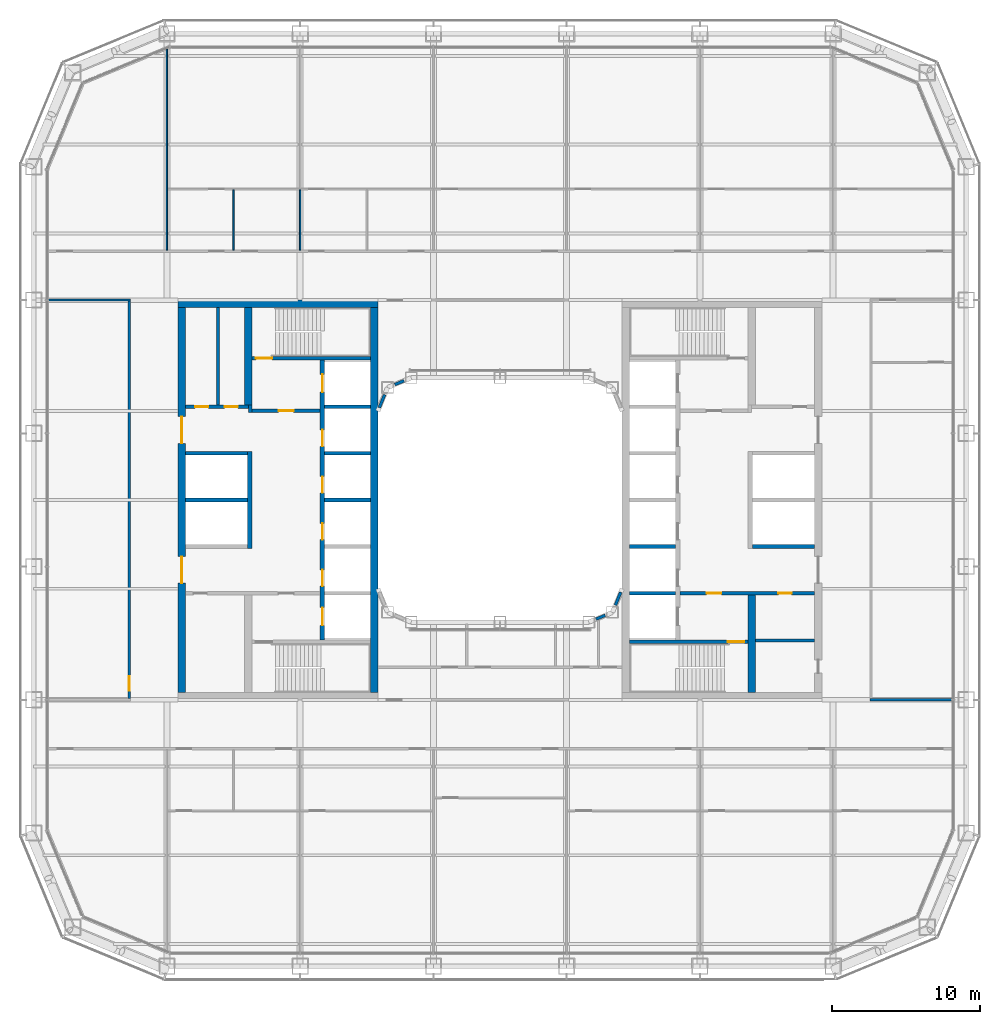
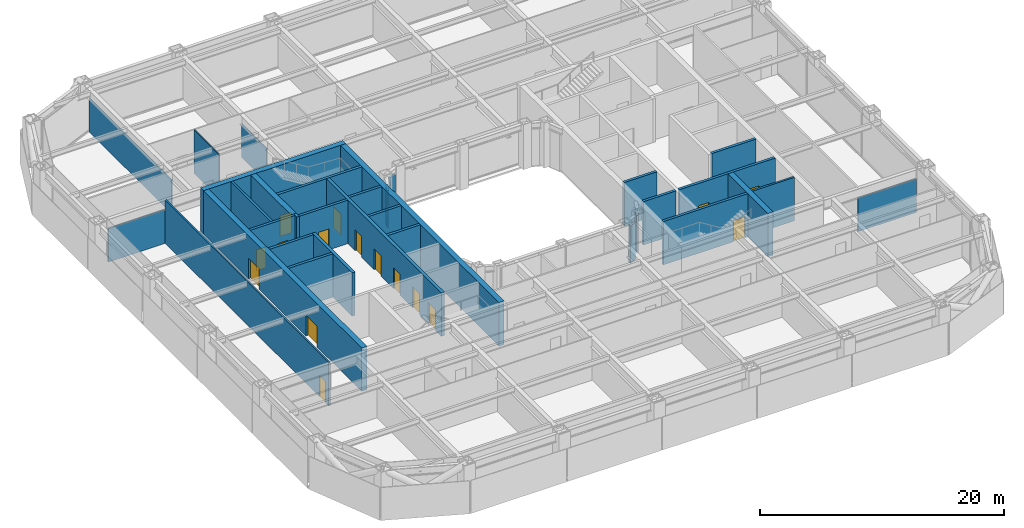
# One storey, part 13 of 24: 33 walls, 16 doors, 16 openings.
"""IFC4 building model written with IfcOpenShell, lengths in metres."""

from ifc_helpers import new_model, si_unit, direction, frame, frame_2d, origin, place, context, subcontext, project, spatial, rectangle, extrude, material, layer, layer_set, type_object, element, fill, save


model = new_model("IFC4")

# Units and contexts
model_context = context("Model", 3, precision=1e-05, world=origin(), true_north=direction((0.0, 1.0)))
body_context = subcontext(model_context, "Body", "Model", "MODEL_VIEW")
ifc_project = project(units=[si_unit("LENGTHUNIT", "METRE"), si_unit("AREAUNIT", "SQUARE_METRE"), si_unit("VOLUMEUNIT", "CUBIC_METRE"), si_unit("PLANEANGLEUNIT", "RADIAN"), si_unit("MASSUNIT", "GRAM", prefix="KILO")], contexts=[model_context])

# Site, building, storey
site_placement = place(None, origin())
site = spatial("IfcSite", under=ifc_project, at=site_placement, CompositionType="ELEMENT")
building_placement = place(site_placement, origin())
building = spatial("IfcBuilding", under=site, at=building_placement, Name="Siwar Civic Tower", CompositionType="ELEMENT")
storey_placement = place(building_placement, frame((0.0, 0.0, 40.199951171875)))
storey = spatial("IfcBuildingStorey", under=building, at=storey_placement, Name="L08", CompositionType="ELEMENT", Elevation=40.199951171875)

# Walls
ifc_material_1 = material(Name="Gypsum board on steel studs", Category="steel")
ifc_layer_1 = layer(ifc_material_1, 0.199951171875)
ifc_layer_set_1 = layer_set([ifc_layer_1], Name="Gypsum board on steel studs")
wall_type_1 = type_object("IfcWallType", Name="CORE-PARTITION-200", PredefinedType="PARTITIONING", material=ifc_layer_set_1)
wall_1_placement = place(storey_placement, frame((-19.050048828125, 6.425048828125, 0.0), z_axis=(0.0, 0.0, 1.0), x_axis=(0.0, 1.0, 0.0)))
element("IfcWall", 1, at=wall_1_placement, inside=storey, type_object=wall_type_1, Name="Core partition W", PredefinedType="PARTITIONING", context=body_context, shape_type="SweptSolid", body=[
    extrude(rectangle(XDim=6.574951171875, YDim=0.199951171875, at=frame_2d((3.28759765625, 0.0))), origin(), (0.0, 0.0, 1.0), 4.35009765625),
])
wall_2_placement = place(storey_placement, frame((17.25, -9.5, 0.0), z_axis=(0.0, 0.0, 1.0), x_axis=(1.0, 0.0, 0.0)))
element("IfcWall", 2, at=wall_2_placement, inside=storey, type_object=wall_type_1, Name="Core partition E", PredefinedType="PARTITIONING", context=body_context, shape_type="SweptSolid", body=[
    extrude(rectangle(XDim=4.0, YDim=0.199951171875, at=frame_2d((2.0, 0.0))), origin(), (0.0, 0.0, 1.0), 4.35009765625),
])

# Wall, opening, door
ifc_material_2 = material(Name="Concrete C60/75", Category="concrete")
ifc_layer_2 = layer(ifc_material_2, 0.25)
ifc_layer_set_2 = layer_set([ifc_layer_2], Name="Concrete C60/75")
wall_type_2 = type_object("IfcWallType", Name="CORE-WALL-RC250", PredefinedType="SHEAR", material=ifc_layer_set_2)
wall_3_placement = place(storey_placement, frame((-12.14990234375, 6.02490234375, 0.0), z_axis=(0.0, 0.0, 1.0), x_axis=(-1.0, 0.0, 0.0)))
wall_3 = element("IfcWall", 3, at=wall_3_placement, inside=storey, type_object=wall_type_2, Name="Core wall W", PredefinedType="SHEAR", context=body_context, shape_type="SweptSolid", body=[
    extrude(rectangle(XDim=4.60009765625, YDim=0.25, at=frame_2d((2.300048828125, 0.0))), origin(), (0.0, 0.0, 1.0), 4.35009765625),
])
opening_1_placement = place(wall_3_placement, frame((1.800048828125, 0.0, 0.0)))
opening_1 = element("IfcOpeningElement", 4, at=opening_1_placement, cuts=wall_3, Name="Opening L08-CW01", PredefinedType="OPENING", context=body_context, shape_type="SweptSolid", body=[
    extrude(rectangle(XDim=1.0, YDim=2.10009765625, at=frame_2d((0.5, 1.050048828125))), frame((0.0, 0.135009765625, 0.0), z_axis=(0.0, -1.0, 0.0), x_axis=(1.0, 0.0, 0.0)), (0.0, 0.0, 1.0), 0.27001953125),
])
ifc_material_3 = material(Name="Steel door leaf", Category="steel")
door_type_1 = type_object("IfcDoorType", Name="CORE-DOOR-FD30S", OperationType="SINGLE_SWING_LEFT", PredefinedType="DOOR", material=ifc_material_3)
door_1_placement = place(opening_1_placement, origin())
door_1 = element("IfcDoor", 5, at=door_1_placement, inside=storey, type_object=door_type_1, Name="Firefighting lobby door L08-CW01", OperationType="SINGLE_SWING_LEFT", OverallHeight=2.10009765625, OverallWidth=1.0, PredefinedType="DOOR", context=body_context, shape_type="SweptSolid", body=[
    extrude(rectangle(XDim=1.0, YDim=2.10009765625, at=frame_2d((0.5, 1.050048828125))), frame((0.0, 0.02490234375, 0.0), z_axis=(0.0, -1.0, 0.0), x_axis=(1.0, 0.0, 0.0)), (0.0, 0.0, 1.0), 0.050048828125),
])
fill(opening_1, door_1)

# Wall
wall_4_placement = place(storey_placement, frame((-16.875, 5.89990234375, 0.0), z_axis=(0.0, 0.0, 1.0), x_axis=(0.0, 1.0, 0.0)))
element("IfcWall", 6, at=wall_4_placement, inside=storey, type_object=wall_type_2, Name="Core wall W", PredefinedType="SHEAR", context=body_context, shape_type="SweptSolid", body=[
    extrude(rectangle(XDim=0.525146484375, YDim=0.25, at=frame_2d((0.2626953125, 0.0))), origin(), (0.0, 0.0, 1.0), 4.35009765625),
])

# Wall, openings, doors
wall_5_placement = place(storey_placement, frame((-17.0, 6.300048828125, 0.0), z_axis=(0.0, 0.0, 1.0), x_axis=(-1.0, 0.0, 0.0)))
wall_5 = element("IfcWall", 7, at=wall_5_placement, inside=storey, type_object=wall_type_2, Name="Core wall W", PredefinedType="SHEAR", context=body_context, shape_type="SweptSolid", body=[
    extrude(rectangle(XDim=4.25, YDim=0.25, at=frame_2d((2.125, 0.0))), origin(), (0.0, 0.0, 1.0), 4.35009765625),
])
opening_2_placement = place(wall_5_placement, frame((0.699951171875, 0.0, 0.0)))
opening_2 = element("IfcOpeningElement", 8, at=opening_2_placement, cuts=wall_5, Name="Opening L08-CW13", PredefinedType="OPENING", context=body_context, shape_type="SweptSolid", body=[
    extrude(rectangle(XDim=0.89990234375, YDim=2.10009765625, at=frame_2d((0.449951171875, 1.050048828125))), frame((0.0, 0.135009765625, 0.0), z_axis=(0.0, -1.0, 0.0), x_axis=(1.0, 0.0, 0.0)), (0.0, 0.0, 1.0), 0.27001953125),
])
opening_3_placement = place(wall_5_placement, frame((2.699951171875, 0.0, 0.0)))
opening_3 = element("IfcOpeningElement", 9, at=opening_3_placement, cuts=wall_5, Name="Opening L08-CW14", PredefinedType="OPENING", context=body_context, shape_type="SweptSolid", body=[
    extrude(rectangle(XDim=0.89990234375, YDim=2.10009765625, at=frame_2d((0.449951171875, 1.050048828125))), frame((0.0, 0.135009765625, 0.0), z_axis=(0.0, -1.0, 0.0), x_axis=(1.0, 0.0, 0.0)), (0.0, 0.0, 1.0), 0.27001953125),
])
ifc_material_4 = material(Name="Steel door leaf", Category="steel")
door_type_2 = type_object("IfcDoorType", Name="CORE-DOOR-ROOM", OperationType="SINGLE_SWING_LEFT", PredefinedType="DOOR", material=ifc_material_4)
door_2_placement = place(opening_2_placement, origin())
door_2 = element("IfcDoor", 10, at=door_2_placement, inside=storey, type_object=door_type_2, Name="Core room door L08-CW13", OperationType="SINGLE_SWING_RIGHT", OverallHeight=2.10009765625, OverallWidth=0.89990234375, PredefinedType="DOOR", context=body_context, shape_type="SweptSolid", body=[
    extrude(rectangle(XDim=0.89990234375, YDim=2.10009765625, at=frame_2d((0.449951171875, 1.050048828125))), frame((0.0, 0.02490234375, 0.0), z_axis=(0.0, -1.0, 0.0), x_axis=(1.0, 0.0, 0.0)), (0.0, 0.0, 1.0), 0.050048828125),
])
fill(opening_2, door_2)
door_3_placement = place(opening_3_placement, origin())
door_3 = element("IfcDoor", 11, at=door_3_placement, inside=storey, type_object=door_type_2, Name="Core room door L08-CW14", OperationType="SINGLE_SWING_LEFT", OverallHeight=2.10009765625, OverallWidth=0.89990234375, PredefinedType="DOOR", context=body_context, shape_type="SweptSolid", body=[
    extrude(rectangle(XDim=0.89990234375, YDim=2.10009765625, at=frame_2d((0.449951171875, 1.050048828125))), frame((0.0, 0.02490234375, 0.0), z_axis=(0.0, -1.0, 0.0), x_axis=(1.0, 0.0, 0.0)), (0.0, 0.0, 1.0), 0.050048828125),
])
fill(opening_3, door_3)

# Walls
for number, where, z_axis, x_axis, name in (
    (12, (-17.050048828125, 0.0, 0.0), (0.0, 0.0, 1.0), (-1.0, 0.0, 0.0), "Core wall W"),
    (13, (-17.050048828125, 3.14990234375, 0.0), (0.0, 0.0, 1.0), (-1.0, 0.0, 0.0), "Core wall W"),
):
    element("IfcWall", number, at=place(storey_placement, frame(where, z_axis=z_axis, x_axis=x_axis)), inside=storey, type_object=wall_type_2, Name=name, PredefinedType="SHEAR", context=body_context, shape_type="SweptSolid", body=[
        extrude(rectangle(XDim=4.199951171875, YDim=0.25, at=frame_2d((2.10009765625, 0.0))), origin(), (0.0, 0.0, 1.0), 4.35009765625),
    ])
for number, where, z_axis, x_axis, name in (
    (14, (-8.75, 0.0, 0.0), (0.0, 0.0, 1.0), (-1.0, 0.0, 0.0), "Core wall W"),
    (15, (-8.75, 3.14990234375, 0.0), (0.0, 0.0, 1.0), (-1.0, 0.0, 0.0), "Core wall W"),
    (16, (-8.75, 6.300048828125, 0.0), (0.0, 0.0, 1.0), (-1.0, 0.0, 0.0), "Core wall W"),
):
    element("IfcWall", number, at=place(storey_placement, frame(where, z_axis=z_axis, x_axis=x_axis)), inside=storey, type_object=wall_type_2, Name=name, PredefinedType="SHEAR", context=body_context, shape_type="SweptSolid", body=[
        extrude(rectangle(XDim=3.10009765625, YDim=0.25, at=frame_2d((1.550048828125, 0.0))), origin(), (0.0, 0.0, 1.0), 4.35009765625),
    ])

# Wall, opening, door
wall_6_placement = place(storey_placement, frame((-8.75, 9.574951171875, 0.0), z_axis=(0.0, 0.0, 1.0), x_axis=(-1.0, 0.0, 0.0)))
wall_6 = element("IfcWall", 17, at=wall_6_placement, inside=storey, type_object=wall_type_2, Name="Core wall W", PredefinedType="SHEAR", context=body_context, shape_type="SweptSolid", body=[
    extrude(rectangle(XDim=8.0, YDim=0.25, at=frame_2d((4.0, 0.0))), origin(), (0.0, 0.0, 1.0), 4.35009765625),
])
opening_4_placement = place(wall_6_placement, frame((6.64990234375, 0.0, 0.0)))
opening_4 = element("IfcOpeningElement", 18, at=opening_4_placement, cuts=wall_6, Name="Opening L08-CW03", PredefinedType="OPENING", context=body_context, shape_type="SweptSolid", body=[
    extrude(rectangle(XDim=1.10009765625, YDim=2.10009765625, at=frame_2d((0.550048828125, 1.050048828125))), frame((0.0, 0.135009765625, 0.0), z_axis=(0.0, -1.0, 0.0), x_axis=(1.0, 0.0, 0.0)), (0.0, 0.0, 1.0), 0.27001953125),
])
ifc_material_5 = material(Name="Steel door leaf", Category="steel")
door_type_3 = type_object("IfcDoorType", Name="CORE-DOOR-FD60S", OperationType="SINGLE_SWING_LEFT", PredefinedType="DOOR", material=ifc_material_5)
door_4_placement = place(opening_4_placement, origin())
door_4 = element("IfcDoor", 19, at=door_4_placement, inside=storey, type_object=door_type_3, Name="Stair door L08-CW03", OperationType="SINGLE_SWING_RIGHT", OverallHeight=2.10009765625, OverallWidth=1.10009765625, PredefinedType="DOOR", context=body_context, shape_type="SweptSolid", body=[
    extrude(rectangle(XDim=1.10009765625, YDim=2.10009765625, at=frame_2d((0.550048828125, 1.050048828125))), frame((0.0, 0.02490234375, 0.0), z_axis=(0.0, -1.0, 0.0), x_axis=(1.0, 0.0, 0.0)), (0.0, 0.0, 1.0), 0.050048828125),
])
fill(opening_4, door_4)

# Wall, openings, doors
wall_7_placement = place(storey_placement, frame((12.14990234375, -6.300048828125, 0.0), z_axis=(0.0, 0.0, 1.0), x_axis=(1.0, 0.0, 0.0)))
wall_7 = element("IfcWall", 20, at=wall_7_placement, inside=storey, type_object=wall_type_2, Name="Core wall E", PredefinedType="SHEAR", context=body_context, shape_type="SweptSolid", body=[
    extrude(rectangle(XDim=9.10009765625, YDim=0.25, at=frame_2d((4.550048828125, 0.0))), origin(), (0.0, 0.0, 1.0), 4.35009765625),
])
opening_5_placement = place(wall_7_placement, frame((1.800048828125, 0.0, 0.0)))
opening_5 = element("IfcOpeningElement", 21, at=opening_5_placement, cuts=wall_7, Name="Opening L08-CE02", PredefinedType="OPENING", context=body_context, shape_type="SweptSolid", body=[
    extrude(rectangle(XDim=1.0, YDim=2.10009765625, at=frame_2d((0.5, 1.050048828125))), frame((0.0, 0.135009765625, 0.0), z_axis=(0.0, -1.0, 0.0), x_axis=(1.0, 0.0, 0.0)), (0.0, 0.0, 1.0), 0.27001953125),
])
opening_6_placement = place(wall_7_placement, frame((6.64990234375, 0.0, 0.0)))
opening_6 = element("IfcOpeningElement", 22, at=opening_6_placement, cuts=wall_7, Name="Opening L08-CE14", PredefinedType="OPENING", context=body_context, shape_type="SweptSolid", body=[
    extrude(rectangle(XDim=0.89990234375, YDim=2.10009765625, at=frame_2d((0.449951171875, 1.050048828125))), frame((0.0, 0.135009765625, 0.0), z_axis=(0.0, -1.0, 0.0), x_axis=(1.0, 0.0, 0.0)), (0.0, 0.0, 1.0), 0.27001953125),
])
door_5_placement = place(opening_5_placement, origin())
door_5 = element("IfcDoor", 23, at=door_5_placement, inside=storey, type_object=door_type_1, Name="Service lobby door L08-CE02", OperationType="SINGLE_SWING_LEFT", OverallHeight=2.10009765625, OverallWidth=1.0, PredefinedType="DOOR", context=body_context, shape_type="SweptSolid", body=[
    extrude(rectangle(XDim=1.0, YDim=2.10009765625, at=frame_2d((0.5, 1.050048828125))), frame((0.0, 0.02490234375, 0.0), z_axis=(0.0, -1.0, 0.0), x_axis=(1.0, 0.0, 0.0)), (0.0, 0.0, 1.0), 0.050048828125),
])
fill(opening_5, door_5)
door_6_placement = place(opening_6_placement, origin())
door_6 = element("IfcDoor", 24, at=door_6_placement, inside=storey, type_object=door_type_2, Name="Core room door L08-CE14", OperationType="SINGLE_SWING_LEFT", OverallHeight=2.10009765625, OverallWidth=0.89990234375, PredefinedType="DOOR", context=body_context, shape_type="SweptSolid", body=[
    extrude(rectangle(XDim=0.89990234375, YDim=2.10009765625, at=frame_2d((0.449951171875, 1.050048828125))), frame((0.0, 0.02490234375, 0.0), z_axis=(0.0, -1.0, 0.0), x_axis=(1.0, 0.0, 0.0)), (0.0, 0.0, 1.0), 0.050048828125),
])
fill(opening_6, door_6)

# Walls
wall_8_placement = place(storey_placement, frame((17.050048828125, -3.14990234375, 0.0), z_axis=(0.0, 0.0, 1.0), x_axis=(1.0, 0.0, 0.0)))
element("IfcWall", 25, at=wall_8_placement, inside=storey, type_object=wall_type_2, Name="Core wall E", PredefinedType="SHEAR", context=body_context, shape_type="SweptSolid", body=[
    extrude(rectangle(XDim=4.199951171875, YDim=0.25, at=frame_2d((2.10009765625, 0.0))), origin(), (0.0, 0.0, 1.0), 4.35009765625),
])
for number, where, z_axis, x_axis, name in (
    (26, (8.75, -3.14990234375, 0.0), (0.0, 0.0, 1.0), (1.0, 0.0, 0.0), "Core wall E"),
    (27, (8.75, -6.300048828125, 0.0), (0.0, 0.0, 1.0), (1.0, 0.0, 0.0), "Core wall E"),
):
    element("IfcWall", number, at=place(storey_placement, frame(where, z_axis=z_axis, x_axis=x_axis)), inside=storey, type_object=wall_type_2, Name=name, PredefinedType="SHEAR", context=body_context, shape_type="SweptSolid", body=[
        extrude(rectangle(XDim=3.10009765625, YDim=0.25, at=frame_2d((1.550048828125, 0.0))), origin(), (0.0, 0.0, 1.0), 4.35009765625),
    ])

# Wall, opening, door
wall_9_placement = place(storey_placement, frame((8.75, -9.574951171875, 0.0), z_axis=(0.0, 0.0, 1.0), x_axis=(1.0, 0.0, 0.0)))
wall_9 = element("IfcWall", 28, at=wall_9_placement, inside=storey, type_object=wall_type_2, Name="Core wall E", PredefinedType="SHEAR", context=body_context, shape_type="SweptSolid", body=[
    extrude(rectangle(XDim=8.0, YDim=0.25, at=frame_2d((4.0, 0.0))), origin(), (0.0, 0.0, 1.0), 4.35009765625),
])
opening_7_placement = place(wall_9_placement, frame((6.64990234375, 0.0, 0.0)))
opening_7 = element("IfcOpeningElement", 29, at=opening_7_placement, cuts=wall_9, Name="Opening L08-CE04", PredefinedType="OPENING", context=body_context, shape_type="SweptSolid", body=[
    extrude(rectangle(XDim=1.10009765625, YDim=2.10009765625, at=frame_2d((0.550048828125, 1.050048828125))), frame((0.0, 0.135009765625, 0.0), z_axis=(0.0, -1.0, 0.0), x_axis=(1.0, 0.0, 0.0)), (0.0, 0.0, 1.0), 0.27001953125),
])
door_7_placement = place(opening_7_placement, origin())
door_7 = element("IfcDoor", 30, at=door_7_placement, inside=storey, type_object=door_type_3, Name="Stair door L08-CE04", OperationType="SINGLE_SWING_RIGHT", OverallHeight=2.10009765625, OverallWidth=1.10009765625, PredefinedType="DOOR", context=body_context, shape_type="SweptSolid", body=[
    extrude(rectangle(XDim=1.10009765625, YDim=2.10009765625, at=frame_2d((0.550048828125, 1.050048828125))), frame((0.0, 0.02490234375, 0.0), z_axis=(0.0, -1.0, 0.0), x_axis=(1.0, 0.0, 0.0)), (0.0, 0.0, 1.0), 0.050048828125),
])
fill(opening_7, door_7)

# Wall, openings, doors
ifc_material_6 = material(Name="Concrete C60/75", Category="concrete")
ifc_layer_3 = layer(ifc_material_6, 0.300048828125)
ifc_layer_set_3 = layer_set([ifc_layer_3], Name="Concrete C60/75")
wall_type_3 = type_object("IfcWallType", Name="CORE-WALL-RC300", PredefinedType="SHEAR", material=ifc_layer_set_3)
wall_10_placement = place(storey_placement, frame((-12.0, -9.449951171875, 0.0), z_axis=(0.0, 0.0, 1.0), x_axis=(0.0, 1.0, 0.0)))
wall_10 = element("IfcWall", 31, at=wall_10_placement, inside=storey, type_object=wall_type_3, Name="Core wall W", PredefinedType="SHEAR", context=body_context, shape_type="SweptSolid", body=[
    extrude(rectangle(XDim=18.89990234375, YDim=0.300048828125, at=frame_2d((9.449951171875, 0.0))), origin(), (0.0, 0.0, 1.0), 4.35009765625),
])
opening_8_placement = place(wall_10_placement, frame((3.625, 0.0, 0.0)))
opening_8 = element("IfcOpeningElement", 32, at=opening_8_placement, cuts=wall_10, Name="Opening L08-CW07", PredefinedType="OPENING", context=body_context, shape_type="SweptSolid", body=[
    extrude(rectangle(XDim=1.10009765625, YDim=2.10009765625, at=frame_2d((0.550048828125, 1.050048828125))), frame((0.0, 0.16015625, 0.0), z_axis=(0.0, -1.0, 0.0), x_axis=(1.0, 0.0, 0.0)), (0.0, 0.0, 1.0), 0.320068359375),
])
opening_9_placement = place(wall_10_placement, frame((6.77490234375, 0.0, 0.0)))
opening_9 = element("IfcOpeningElement", 33, at=opening_9_placement, cuts=wall_10, Name="Opening L08-CW08", PredefinedType="OPENING", context=body_context, shape_type="SweptSolid", body=[
    extrude(rectangle(XDim=1.10009765625, YDim=2.10009765625, at=frame_2d((0.550048828125, 1.050048828125))), frame((0.0, 0.16015625, 0.0), z_axis=(0.0, -1.0, 0.0), x_axis=(1.0, 0.0, 0.0)), (0.0, 0.0, 1.0), 0.320068359375),
])
opening_10_placement = place(wall_10_placement, frame((9.925048828125, 0.0, 0.0)))
opening_10 = element("IfcOpeningElement", 34, at=opening_10_placement, cuts=wall_10, Name="Opening L08-CW09", PredefinedType="OPENING", context=body_context, shape_type="SweptSolid", body=[
    extrude(rectangle(XDim=1.10009765625, YDim=2.10009765625, at=frame_2d((0.550048828125, 1.050048828125))), frame((0.0, 0.16015625, 0.0), z_axis=(0.0, -1.0, 0.0), x_axis=(1.0, 0.0, 0.0)), (0.0, 0.0, 1.0), 0.320068359375),
])
opening_11_placement = place(wall_10_placement, frame((13.074951171875, 0.0, 0.0)))
opening_11 = element("IfcOpeningElement", 35, at=opening_11_placement, cuts=wall_10, Name="Opening L08-CW10", PredefinedType="OPENING", context=body_context, shape_type="SweptSolid", body=[
    extrude(rectangle(XDim=1.10009765625, YDim=2.10009765625, at=frame_2d((0.550048828125, 1.050048828125))), frame((0.0, 0.16015625, 0.0), z_axis=(0.0, -1.0, 0.0), x_axis=(1.0, 0.0, 0.0)), (0.0, 0.0, 1.0), 0.320068359375),
])
opening_12_placement = place(wall_10_placement, frame((16.72509765625, 0.0, 0.0)))
opening_12 = element("IfcOpeningElement", 36, at=opening_12_placement, cuts=wall_10, Name="Opening L08-CW11", PredefinedType="OPENING", context=body_context, shape_type="SweptSolid", body=[
    extrude(rectangle(XDim=1.199951171875, YDim=2.10009765625, at=frame_2d((0.60009765625, 1.050048828125))), frame((0.0, 0.16015625, 0.0), z_axis=(0.0, -1.0, 0.0), x_axis=(1.0, 0.0, 0.0)), (0.0, 0.0, 1.0), 0.320068359375),
])
opening_13_placement = place(wall_10_placement, frame((0.97509765625, 0.0, 0.0)))
opening_13 = element("IfcOpeningElement", 37, at=opening_13_placement, cuts=wall_10, Name="Opening L08-CW12", PredefinedType="OPENING", context=body_context, shape_type="SweptSolid", body=[
    extrude(rectangle(XDim=1.199951171875, YDim=2.10009765625, at=frame_2d((0.60009765625, 1.050048828125))), frame((0.0, 0.16015625, 0.0), z_axis=(0.0, -1.0, 0.0), x_axis=(1.0, 0.0, 0.0)), (0.0, 0.0, 1.0), 0.320068359375),
])
ifc_material_7 = material(Name="Steel door leaf", Category="steel")
door_type_4 = type_object("IfcDoorType", Name="CORE-DOOR-LD", OperationType="DOUBLE_DOOR_SLIDING", PredefinedType="DOOR", material=ifc_material_7)
door_8_placement = place(opening_8_placement, origin())
door_8 = element("IfcDoor", 38, at=door_8_placement, inside=storey, type_object=door_type_4, Name="Landing door LR1 L08-CW07", OperationType="DOUBLE_DOOR_SLIDING", OverallHeight=2.10009765625, OverallWidth=1.10009765625, PredefinedType="DOOR", context=body_context, shape_type="SweptSolid", body=[
    extrude(rectangle(XDim=1.10009765625, YDim=2.10009765625, at=frame_2d((0.550048828125, 1.050048828125))), frame((0.0, 0.02490234375, 0.0), z_axis=(0.0, -1.0, 0.0), x_axis=(1.0, 0.0, 0.0)), (0.0, 0.0, 1.0), 0.050048828125),
])
fill(opening_8, door_8)
door_9_placement = place(opening_9_placement, origin())
door_9 = element("IfcDoor", 39, at=door_9_placement, inside=storey, type_object=door_type_4, Name="Landing door LR2 L08-CW08", OperationType="DOUBLE_DOOR_SLIDING", OverallHeight=2.10009765625, OverallWidth=1.10009765625, PredefinedType="DOOR", context=body_context, shape_type="SweptSolid", body=[
    extrude(rectangle(XDim=1.10009765625, YDim=2.10009765625, at=frame_2d((0.550048828125, 1.050048828125))), frame((0.0, 0.02490234375, 0.0), z_axis=(0.0, -1.0, 0.0), x_axis=(1.0, 0.0, 0.0)), (0.0, 0.0, 1.0), 0.050048828125),
])
fill(opening_9, door_9)
door_10_placement = place(opening_10_placement, origin())
door_10 = element("IfcDoor", 40, at=door_10_placement, inside=storey, type_object=door_type_4, Name="Landing door LR3 L08-CW09", OperationType="DOUBLE_DOOR_SLIDING", OverallHeight=2.10009765625, OverallWidth=1.10009765625, PredefinedType="DOOR", context=body_context, shape_type="SweptSolid", body=[
    extrude(rectangle(XDim=1.10009765625, YDim=2.10009765625, at=frame_2d((0.550048828125, 1.050048828125))), frame((0.0, 0.02490234375, 0.0), z_axis=(0.0, -1.0, 0.0), x_axis=(1.0, 0.0, 0.0)), (0.0, 0.0, 1.0), 0.050048828125),
])
fill(opening_10, door_10)
door_11_placement = place(opening_11_placement, origin())
door_11 = element("IfcDoor", 41, at=door_11_placement, inside=storey, type_object=door_type_4, Name="Landing door LR4 L08-CW10", OperationType="DOUBLE_DOOR_SLIDING", OverallHeight=2.10009765625, OverallWidth=1.10009765625, PredefinedType="DOOR", context=body_context, shape_type="SweptSolid", body=[
    extrude(rectangle(XDim=1.10009765625, YDim=2.10009765625, at=frame_2d((0.550048828125, 1.050048828125))), frame((0.0, 0.02490234375, 0.0), z_axis=(0.0, -1.0, 0.0), x_axis=(1.0, 0.0, 0.0)), (0.0, 0.0, 1.0), 0.050048828125),
])
fill(opening_11, door_11)
ifc_material_8 = material(Name="Steel door leaf", Category="steel")
door_type_5 = type_object("IfcDoorType", Name="CORE-DOOR-LDW", OperationType="DOUBLE_DOOR_SLIDING", PredefinedType="DOOR", material=ifc_material_8)
door_12_placement = place(opening_12_placement, origin())
door_12 = element("IfcDoor", 42, at=door_12_placement, inside=storey, type_object=door_type_5, Name="Landing door FF1 L08-CW11", OperationType="DOUBLE_DOOR_SLIDING", OverallHeight=2.10009765625, OverallWidth=1.199951171875, PredefinedType="DOOR", context=body_context, shape_type="SweptSolid", body=[
    extrude(rectangle(XDim=1.199951171875, YDim=2.10009765625, at=frame_2d((0.60009765625, 1.050048828125))), frame((0.0, 0.02490234375, 0.0), z_axis=(0.0, -1.0, 0.0), x_axis=(1.0, 0.0, 0.0)), (0.0, 0.0, 1.0), 0.050048828125),
])
fill(opening_12, door_12)
door_13_placement = place(opening_13_placement, origin())
door_13 = element("IfcDoor", 43, at=door_13_placement, inside=storey, type_object=door_type_5, Name="Landing door SV1 L08-CW12", OperationType="DOUBLE_DOOR_SLIDING", OverallHeight=2.10009765625, OverallWidth=1.199951171875, PredefinedType="DOOR", context=body_context, shape_type="SweptSolid", body=[
    extrude(rectangle(XDim=1.199951171875, YDim=2.10009765625, at=frame_2d((0.60009765625, 1.050048828125))), frame((0.0, 0.02490234375, 0.0), z_axis=(0.0, -1.0, 0.0), x_axis=(1.0, 0.0, 0.0)), (0.0, 0.0, 1.0), 0.050048828125),
])
fill(opening_13, door_13)

# Wall
wall_11_placement = place(storey_placement, frame((-16.89990234375, -3.27490234375, 0.0), z_axis=(0.0, 0.0, 1.0), x_axis=(0.0, 1.0, 0.0)))
element("IfcWall", 44, at=wall_11_placement, inside=storey, type_object=wall_type_3, Name="Core wall W", PredefinedType="SHEAR", context=body_context, shape_type="SweptSolid", body=[
    extrude(rectangle(XDim=6.5498046875, YDim=0.300048828125, at=frame_2d((3.27490234375, 0.0))), origin(), (0.0, 0.0, 1.0), 4.35009765625),
])

# Wall, openings, doors
ifc_material_9 = material(Name="Concrete C60/75", Category="concrete")
ifc_layer_4 = layer(ifc_material_9, 0.5)
ifc_layer_set_4 = layer_set([ifc_layer_4], Name="Concrete C60/75")
wall_type_4 = type_object("IfcWallType", Name="CORE-WALL-RC500", PredefinedType="SHEAR", material=ifc_layer_set_4)
wall_12_placement = place(storey_placement, frame((-21.5, -13.0, 0.0), z_axis=(0.0, 0.0, 1.0), x_axis=(0.0, 1.0, 0.0)))
wall_12 = element("IfcWall", 45, at=wall_12_placement, inside=storey, type_object=wall_type_4, Name="Core wall W", PredefinedType="SHEAR", context=body_context, shape_type="SweptSolid", body=[
    extrude(rectangle(XDim=26.0, YDim=0.5, at=frame_2d((13.0, 0.0))), origin(), (0.0, 0.0, 1.0), 4.35009765625),
])
opening_14_placement = place(wall_12_placement, frame((16.824951171875, 0.0, 0.0)))
opening_14 = element("IfcOpeningElement", 46, at=opening_14_placement, cuts=wall_12, Name="Opening L08-CW05", PredefinedType="OPENING", context=body_context, shape_type="SweptSolid", body=[
    extrude(rectangle(XDim=1.800048828125, YDim=2.10009765625, at=frame_2d((0.89990234375, 1.050048828125))), frame((0.0, 0.260009765625, 0.0), z_axis=(0.0, -1.0, 0.0), x_axis=(1.0, 0.0, 0.0)), (0.0, 0.0, 1.0), 0.52001953125),
])
opening_15_placement = place(wall_12_placement, frame((7.375, 0.0, 0.0)))
opening_15 = element("IfcOpeningElement", 47, at=opening_15_placement, cuts=wall_12, Name="Opening L08-CW06", PredefinedType="OPENING", context=body_context, shape_type="SweptSolid", body=[
    extrude(rectangle(XDim=1.800048828125, YDim=2.10009765625, at=frame_2d((0.89990234375, 1.050048828125))), frame((0.0, 0.260009765625, 0.0), z_axis=(0.0, -1.0, 0.0), x_axis=(1.0, 0.0, 0.0)), (0.0, 0.0, 1.0), 0.52001953125),
])
ifc_material_10 = material(Name="Steel door leaf", Category="steel")
door_type_6 = type_object("IfcDoorType", Name="CORE-DOOR-PORT", OperationType="DOUBLE_DOOR_DOUBLE_SWING", PredefinedType="DOOR", material=ifc_material_10)
door_14_placement = place(opening_14_placement, origin())
door_14 = element("IfcDoor", 48, at=door_14_placement, inside=storey, type_object=door_type_6, Name="Core entrance door L08-CW05", OperationType="DOUBLE_DOOR_DOUBLE_SWING", OverallHeight=2.10009765625, OverallWidth=1.800048828125, PredefinedType="DOOR", context=body_context, shape_type="SweptSolid", body=[
    extrude(rectangle(XDim=1.800048828125, YDim=2.10009765625, at=frame_2d((0.89990234375, 1.050048828125))), frame((0.0, 0.02490234375, 0.0), z_axis=(0.0, -1.0, 0.0), x_axis=(1.0, 0.0, 0.0)), (0.0, 0.0, 1.0), 0.050048828125),
])
fill(opening_14, door_14)
door_15_placement = place(opening_15_placement, origin())
door_15 = element("IfcDoor", 49, at=door_15_placement, inside=storey, type_object=door_type_6, Name="Core entrance door L08-CW06", OperationType="DOUBLE_DOOR_DOUBLE_SWING", OverallHeight=2.10009765625, OverallWidth=1.800048828125, PredefinedType="DOOR", context=body_context, shape_type="SweptSolid", body=[
    extrude(rectangle(XDim=1.800048828125, YDim=2.10009765625, at=frame_2d((0.89990234375, 1.050048828125))), frame((0.0, 0.02490234375, 0.0), z_axis=(0.0, -1.0, 0.0), x_axis=(1.0, 0.0, 0.0)), (0.0, 0.0, 1.0), 0.050048828125),
])
fill(opening_15, door_15)

# Walls
wall_13_placement = place(storey_placement, frame((-17.0, 6.425048828125, 0.0), z_axis=(0.0, 0.0, 1.0), x_axis=(0.0, 1.0, 0.0)))
element("IfcWall", 50, at=wall_13_placement, inside=storey, type_object=wall_type_4, Name="Core wall W", PredefinedType="SHEAR", context=body_context, shape_type="SweptSolid", body=[
    extrude(rectangle(XDim=6.574951171875, YDim=0.5, at=frame_2d((3.28759765625, 0.0))), origin(), (0.0, 0.0, 1.0), 4.35009765625),
])
wall_14_placement = place(storey_placement, frame((-8.25, 13.25, 0.0), z_axis=(0.0, 0.0, 1.0), x_axis=(-1.0, 0.0, 0.0)))
element("IfcWall", 51, at=wall_14_placement, inside=storey, type_object=wall_type_4, Name="Core wall W", PredefinedType="SHEAR", context=body_context, shape_type="SweptSolid", body=[
    extrude(rectangle(XDim=13.5, YDim=0.5, at=frame_2d((6.75, 0.0))), origin(), (0.0, 0.0, 1.0), 4.35009765625),
])
wall_15_placement = place(storey_placement, frame((17.0, -13.0, 0.0), z_axis=(0.0, 0.0, 1.0), x_axis=(0.0, 1.0, 0.0)))
element("IfcWall", 52, at=wall_15_placement, inside=storey, type_object=wall_type_4, Name="Core wall E", PredefinedType="SHEAR", context=body_context, shape_type="SweptSolid", body=[
    extrude(rectangle(XDim=6.574951171875, YDim=0.5, at=frame_2d((3.28759765625, 0.0))), origin(), (0.0, 0.0, 1.0), 4.35009765625),
])
ifc_material_11 = material(Name="Concrete C60/75", Category="concrete")
ifc_layer_5 = layer(ifc_material_11, 0.5)
ifc_layer_set_5 = layer_set([ifc_layer_5], Name="Concrete C60/75")
wall_type_5 = type_object("IfcWallType", Name="CORE-WALL-RC500-EXT", PredefinedType="SHEAR", material=ifc_layer_set_5)
wall_16_placement = place(storey_placement, frame((-8.5, -13.0, 0.0), z_axis=(0.0, 0.0, 1.0), x_axis=(0.0, 1.0, 0.0)))
element("IfcWall", 53, at=wall_16_placement, inside=storey, type_object=wall_type_5, Name="Core wall W", PredefinedType="SHEAR", context=body_context, shape_type="SweptSolid", body=[
    extrude(rectangle(XDim=26.0, YDim=0.5, at=frame_2d((13.0, 0.0))), origin(), (0.0, 0.0, 1.0), 4.35009765625),
])
ifc_material_12 = material(Name="Gypsum board on steel studs", Category="steel")
ifc_layer_6 = layer(ifc_material_12, 0.14990234375)
ifc_layer_set_6 = layer_set([ifc_layer_6], Name="Gypsum board on steel studs")
wall_type_6 = type_object("IfcWallType", Name="CORRIDOR PARTITION 150 EI 30", PredefinedType="PARTITIONING", material=ifc_layer_set_6)
for number, where, z_axis, x_axis, name in (
    (54, (24.97509765625, -13.5, 0.0), (0.0, 0.0, 1.0), (1.0, 0.0, 0.0), "L08/wall/P07"),
    (55, (-30.510009765625, 13.5, 0.0), (0.0, 0.0, 1.0), (1.0, 0.0, 0.0), "L08/wall/P11"),
):
    element("IfcWall", number, at=place(storey_placement, frame(where, z_axis=z_axis, x_axis=x_axis)), inside=storey, type_object=wall_type_6, Name=name, PredefinedType="PARTITIONING", context=body_context, shape_type="SweptSolid", body=[
        extrude(rectangle(XDim=5.534912109375, YDim=0.14990234375, at=frame_2d((2.767578125, 0.0))), origin(), (0.0, 0.0, 1.0), 3.35009765625),
    ])

# Wall, opening, door
wall_17_placement = place(storey_placement, frame((-25.050048828125, -13.425048828125, 0.0), z_axis=(0.0, 0.0, 1.0), x_axis=(0.0, 1.0, 0.0)))
wall_17 = element("IfcWall", 56, at=wall_17_placement, inside=storey, type_object=wall_type_6, Name="L08/wall/P16", PredefinedType="PARTITIONING", context=body_context, shape_type="SweptSolid", body=[
    extrude(rectangle(XDim=26.85009765625, YDim=0.14990234375, at=frame_2d((13.425048828125, 0.0))), origin(), (0.0, 0.0, 1.0), 4.35009765625),
])
opening_16_placement = place(wall_17_placement, frame((0.52490234375, 0.0, 0.0)))
opening_16 = element("IfcOpeningElement", 57, at=opening_16_placement, cuts=wall_17, Name="Opening D1", PredefinedType="OPENING", context=body_context, shape_type="SweptSolid", body=[
    extrude(rectangle(XDim=1.0, YDim=2.10009765625, at=frame_2d((0.5, 1.050048828125))), frame((0.0, 0.0849609375, 0.0), z_axis=(0.0, -1.0, 0.0), x_axis=(1.0, 0.0, 0.0)), (0.0, 0.0, 1.0), 0.169921875),
])
ifc_material_13 = material(Name="Timber, painted", Category="wood")
door_type_7 = type_object("IfcDoorType", Name="DOOR 1000 X 2100 FD30", OperationType="SINGLE_SWING_LEFT", PredefinedType="DOOR", material=ifc_material_13)
door_16_placement = place(opening_16_placement, origin())
door_16 = element("IfcDoor", 58, at=door_16_placement, inside=storey, type_object=door_type_7, Name="L08-D30", OperationType="SINGLE_SWING_RIGHT", OverallHeight=2.10009765625, OverallWidth=1.0, PredefinedType="DOOR", context=body_context, shape_type="SweptSolid", body=[
    extrude(rectangle(XDim=1.0, YDim=2.10009765625, at=frame_2d((0.5, 1.050048828125))), frame((0.0, 0.02490234375, 0.0), z_axis=(0.0, -1.0, 0.0), x_axis=(1.0, 0.0, 0.0)), (0.0, 0.0, 1.0), 0.050048828125),
])
fill(opening_16, door_16)

# Walls
ifc_material_14 = material(Name="Aluminium clad insulated panel", Category="aluminium")
ifc_layer_7 = layer(ifc_material_14, 0.199951171875)
ifc_layer_set_7 = layer_set([ifc_layer_7], Name="Aluminium clad insulated panel")
wall_type_7 = type_object("IfcWallType", Name="ENV-WALL-WELL", PredefinedType="STANDARD", material=ifc_layer_set_7)
wall_18_placement = place(storey_placement, frame((6.48291015625, -8.050048828125, 0.0), z_axis=(0.0, 0.0, 1.0), x_axis=(0.923854141361, 0.382744726273, 0.0)))
element("IfcWall", 59, at=wall_18_placement, inside=storey, type_object=wall_type_7, Name="Light well corner wall SE1", PredefinedType="STANDARD", context=body_context, shape_type="SweptSolid", body=[
    extrude(rectangle(XDim=0.6767578125, YDim=0.199951171875, at=frame_2d((0.33837890625, 0.0))), origin(), (0.0, 0.0, 1.0), 3.72998046875),
])
wall_19_placement = place(storey_placement, frame((7.791015625, -7.108154296875, 0.0), z_axis=(0.0, 0.0, 1.0), x_axis=(0.382624318388, 0.923904016107, 0.0)))
element("IfcWall", 60, at=wall_19_placement, inside=storey, type_object=wall_type_7, Name="Light well corner wall SE2", PredefinedType="STANDARD", context=body_context, shape_type="SweptSolid", body=[
    extrude(rectangle(XDim=0.949462890625, YDim=0.199951171875, at=frame_2d((0.474609375, 0.0))), origin(), (0.0, 0.0, 1.0), 3.72998046875),
])
wall_20_placement = place(storey_placement, frame((-6.48291015625, 8.050048828125, 0.0), z_axis=(0.0, 0.0, 1.0), x_axis=(-0.923854141361, -0.382744726273, 0.0)))
element("IfcWall", 61, at=wall_20_placement, inside=storey, type_object=wall_type_7, Name="Light well corner wall NW1", PredefinedType="STANDARD", context=body_context, shape_type="SweptSolid", body=[
    extrude(rectangle(XDim=0.6767578125, YDim=0.199951171875, at=frame_2d((0.33837890625, 0.0))), origin(), (0.0, 0.0, 1.0), 3.72998046875),
])
wall_21_placement = place(storey_placement, frame((-7.791015625, 7.108154296875, 0.0), z_axis=(0.0, 0.0, 1.0), x_axis=(-0.382624318388, -0.923904016107, 0.0)))
element("IfcWall", 62, at=wall_21_placement, inside=storey, type_object=wall_type_7, Name="Light well corner wall NW2", PredefinedType="STANDARD", context=body_context, shape_type="SweptSolid", body=[
    extrude(rectangle(XDim=0.949462890625, YDim=0.199951171875, at=frame_2d((0.474609375, 0.0))), origin(), (0.0, 0.0, 1.0), 3.72998046875),
])
ifc_material_15 = material(Name="Gypsum board on steel studs", Category="steel")
ifc_layer_8 = layer(ifc_material_15, 0.10009765625)
ifc_layer_set_8 = layer_set([ifc_layer_8], Name="Gypsum board on steel studs")
wall_type_8 = type_object("IfcWallType", Name="PARTITION 100 GYPSUM", PredefinedType="PARTITIONING", material=ifc_layer_set_8)
wall_22_placement = place(storey_placement, frame((-22.5, 16.875, 0.0), z_axis=(0.0, 0.0, 1.0), x_axis=(0.0, 1.0, 0.0)))
element("IfcWall", 63, at=wall_22_placement, inside=storey, type_object=wall_type_8, Name="L08/wall/P18", PredefinedType="PARTITIONING", context=body_context, shape_type="SweptSolid", body=[
    extrude(rectangle(XDim=13.552978515625, YDim=0.10009765625, at=frame_2d((6.7763671875, 0.0))), origin(), (0.0, 0.0, 1.0), 3.35009765625),
])
wall_23_placement = place(storey_placement, frame((-18.0, 16.875, 0.0), z_axis=(0.0, 0.0, 1.0), x_axis=(0.0, 1.0, 0.0)))
element("IfcWall", 64, at=wall_23_placement, inside=storey, type_object=wall_type_8, Name="L08/wall/P20", PredefinedType="PARTITIONING", context=body_context, shape_type="SweptSolid", body=[
    extrude(rectangle(XDim=4.074951171875, YDim=0.10009765625, at=frame_2d((2.03759765625, 0.0))), origin(), (0.0, 0.0, 1.0), 4.35009765625),
])
wall_24_placement = place(storey_placement, frame((-13.5, 16.875, 0.0), z_axis=(0.0, 0.0, 1.0), x_axis=(0.0, 1.0, 0.0)))
element("IfcWall", 65, at=wall_24_placement, inside=storey, type_object=wall_type_8, Name="L08/wall/P23", PredefinedType="PARTITIONING", context=body_context, shape_type="SweptSolid", body=[
    extrude(rectangle(XDim=4.074951171875, YDim=0.10009765625, at=frame_2d((2.03759765625, 0.0))), origin(), (0.0, 0.0, 1.0), 3.35009765625),
])

save(model, "model.ifc")
